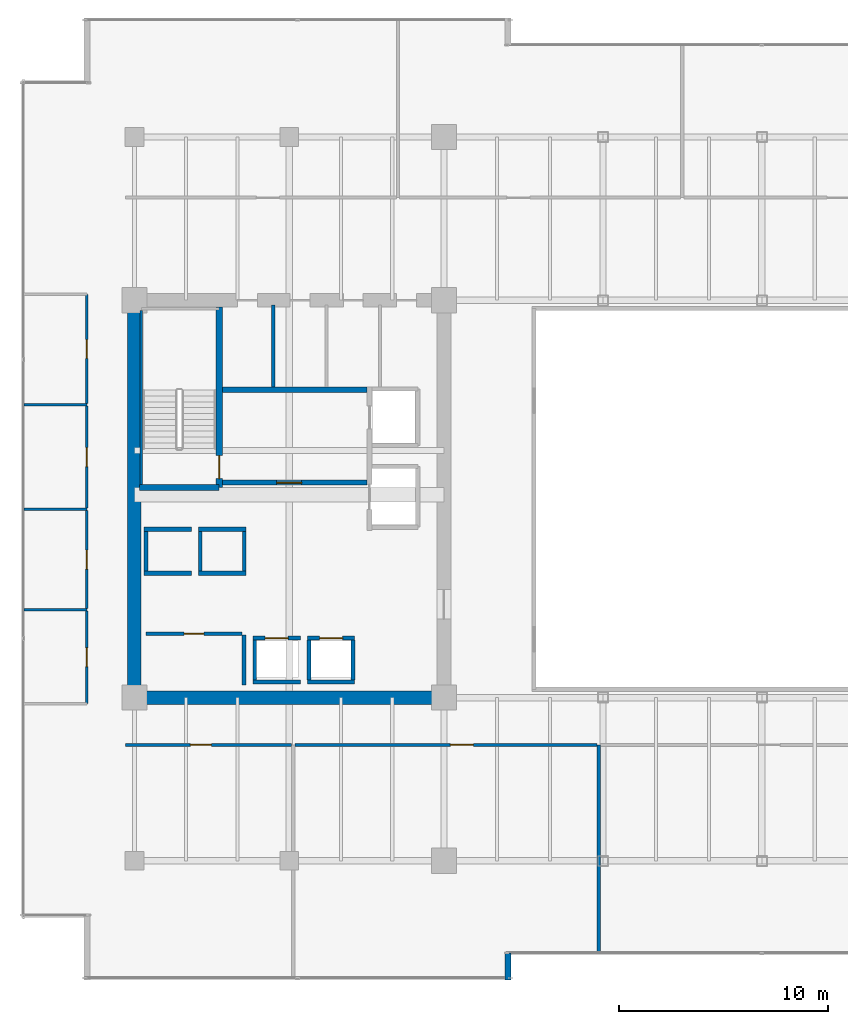
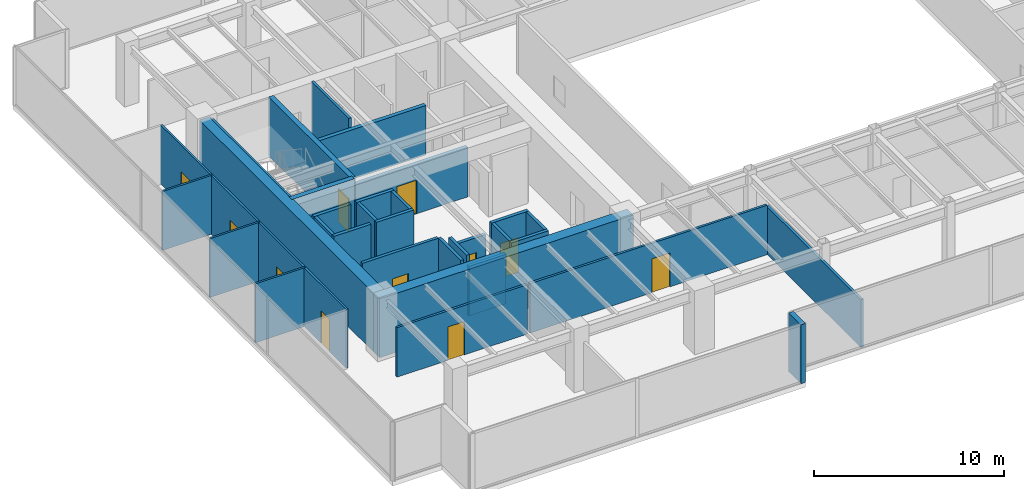
# One storey, part 25 of 31: 35 walls, 11 doors, 11 openings.
"""IFC4 building model written with IfcOpenShell, lengths in metres."""

from ifc_helpers import new_model, si_unit, direction, frame, frame_2d, origin, place, context, subcontext, project, spatial, rectangle, extrude, source, transform, mapped, material, layer, layer_set, type_object, type_shapes, element, fill, save


model = new_model("IFC4")

# Units and contexts
model_context = context("Model", 3, precision=1e-05, world=origin(), true_north=direction((0.0, 1.0)))
body_context = subcontext(model_context, "Body", "Model", "MODEL_VIEW")
ifc_project = project(units=[si_unit("LENGTHUNIT", "METRE"), si_unit("AREAUNIT", "SQUARE_METRE"), si_unit("VOLUMEUNIT", "CUBIC_METRE"), si_unit("PLANEANGLEUNIT", "RADIAN"), si_unit("MASSUNIT", "GRAM", prefix="KILO")], contexts=[model_context])

# Site, building, storey
site_placement = place(None, origin())
site = spatial("IfcSite", under=ifc_project, at=site_placement, CompositionType="ELEMENT")
building_placement = place(site_placement, origin())
building = spatial("IfcBuilding", under=site, at=building_placement, Name="Haelvirn Gate Laboratories", CompositionType="ELEMENT")
storey_placement = place(building_placement, frame((0.0, 0.0, 154.300048828125)))
storey = spatial("IfcBuildingStorey", under=building, at=storey_placement, Name="L37", CompositionType="ELEMENT", Elevation=154.300048828125)

# Walls
ifc_material_1 = material(Name="Thermally-broken bronze aluminium rainscreen & mineral wool", Category="aluminium")
ifc_layer_1 = layer(ifc_material_1, 0.280029296875, Name="EW-TERR-280")
ifc_layer_set_1 = layer_set([ifc_layer_1], Name="Thermally-broken bronze aluminium rainscreen & mineral wool")
wall_type_1 = type_object("IfcWallType", Name="EW-TERR-280", PredefinedType="STANDARD", material=ifc_layer_set_1)
wall_1_placement = place(storey_placement, frame((25.260009765625, 1.300048828125, 0.0), z_axis=(0.0, 0.0, 1.0), x_axis=(0.0, 1.0, 0.0)))
element("IfcWall", 1, at=wall_1_placement, inside=storey, type_object=wall_type_1, Name="L37 Atrium Recess Bronze Return Wall 01", PredefinedType="STANDARD", context=body_context, shape_type="SweptSolid", body=[
    extrude(rectangle(XDim=1.287841796875, YDim=0.280029296875, at=frame_2d((0.64404296875, 0.0))), origin(), (0.0, 0.0, 1.0), 3.7900390625),
])
ifc_material_2 = material(Name="Double-layer acoustic gypsum laboratory partition", Category="gypsum")
ifc_layer_2 = layer(ifc_material_2, 0.159912109375, Name="IW-ACOUST-160")
ifc_layer_set_2 = layer_set([ifc_layer_2], Name="Double-layer acoustic gypsum laboratory partition")
wall_type_2 = type_object("IfcWallType", Name="IW-ACOUST-160", PredefinedType="PARTITIONING", material=ifc_layer_set_2)
wall_2_placement = place(storey_placement, frame((29.60009765625, 2.610107421875, 0.0), z_axis=(0.0, 0.0, 1.0), x_axis=(0.0, 1.0, 0.0)))
element("IfcWall", 2, at=wall_2_placement, inside=storey, type_object=wall_type_2, Name="L37 Interior Wall IW-L37-SDIV-02", PredefinedType="PARTITIONING", context=body_context, shape_type="SweptSolid", body=[
    extrude(rectangle(XDim=9.929931640625, YDim=0.159912109375, at=frame_2d((4.96484375, 0.0))), origin(), (0.0, 0.0, 1.0), 3.074951171875),
])

# Wall, opening, door
ifc_material_3 = material(Name="Lightweight acoustic gypsum board partition", Category="gypsum")
ifc_layer_3 = layer(ifc_material_3, 0.1201171875, Name="IW-PART-120")
ifc_layer_set_3 = layer_set([ifc_layer_3], Name="Lightweight acoustic gypsum board partition")
wall_type_3 = type_object("IfcWallType", Name="IW-PART-120", PredefinedType="PARTITIONING", material=ifc_layer_set_3)
wall_3_placement = place(storey_placement, frame((5.1298828125, 14.514892578125, 0.0), z_axis=(0.0, 0.0, 1.0), x_axis=(0.0, 1.0, 0.0)))
wall_3 = element("IfcWall", 3, at=wall_3_placement, inside=storey, type_object=wall_type_3, Name="L37 Interior Wall IW-L37-WPASS-01", PredefinedType="PARTITIONING", context=body_context, shape_type="SweptSolid", body=[
    extrude(rectangle(XDim=4.425048828125, YDim=0.1201171875, at=frame_2d((2.21240234375, 0.0))), origin(), (0.0, 0.0, 1.0), 3.7900390625),
])
opening_1_placement = place(wall_3_placement, frame((1.762451171875, 0.0, 0.0)))
opening_1 = element("IfcOpeningElement", 4, at=opening_1_placement, cuts=wall_3, Name="Opening D4", PredefinedType="OPENING", context=body_context, shape_type="SweptSolid", body=[
    extrude(rectangle(XDim=0.89990234375, YDim=2.10009765625, at=frame_2d((0.449951171875, 1.050048828125))), frame((0.0, 0.070068359375, 0.0), z_axis=(0.0, -1.0, 0.0), x_axis=(1.0, 0.0, 0.0)), (0.0, 0.0, 1.0), 0.14013671875),
])
ifc_material_4 = material(Name="Glazed aluminium-framed write-up door", Category="aluminium")
door_type_1 = type_object("IfcDoorType", Name="DR-OFF-900", OperationType="NOTDEFINED", PredefinedType="DOOR", material=ifc_material_4)
shared_shape_1 = source(origin(), body_context, "Body", "SweptSolid", [
    extrude(rectangle(XDim=0.89990234375, YDim=2.10009765625, at=frame_2d((0.449951171875, 1.050048828125))), frame((0.0, 0.02490234375, 0.0), z_axis=(0.0, -1.0, 0.0), x_axis=(1.0, 0.0, 0.0)), (0.0, 0.0, 1.0), 0.050048828125),
])
type_shapes(door_type_1, [shared_shape_1])
door_1_placement = place(opening_1_placement, origin())
door_1 = element("IfcDoor", 5, at=door_1_placement, inside=storey, type_object=door_type_1, Name="L37 Bioinformatics Dry-Lab Workspace Door W1", OperationType="SINGLE_SWING_LEFT", OverallHeight=2.10009765625, OverallWidth=0.89990234375, PredefinedType="DOOR", context=body_context, shape_type="MappedRepresentation", body=[
    mapped(shared_shape_1, transform((0.0, 0.0, 0.0), scale=1.0)),
])
fill(opening_1, door_1)

# Wall
wall_4_placement = place(storey_placement, frame((2.110107421875, 19.0, 0.0), z_axis=(0.0, 0.0, 1.0), x_axis=(1.0, 0.0, 0.0)))
element("IfcWall", 6, at=wall_4_placement, inside=storey, type_object=wall_type_3, Name="L37 Interior Wall IW-L37-WDIV-01", PredefinedType="PARTITIONING", context=body_context, shape_type="SweptSolid", body=[
    extrude(rectangle(XDim=3.019775390625, YDim=0.1201171875, at=frame_2d((1.509765625, 0.0))), origin(), (0.0, 0.0, 1.0), 3.7900390625),
])

# Wall, opening, door
wall_5_placement = place(storey_placement, frame((5.1298828125, 19.06005859375, 0.0), z_axis=(0.0, 0.0, 1.0), x_axis=(0.0, 1.0, 0.0)))
wall_5 = element("IfcWall", 7, at=wall_5_placement, inside=storey, type_object=wall_type_3, Name="L37 Interior Wall IW-L37-WPASS-02", PredefinedType="PARTITIONING", context=body_context, shape_type="SweptSolid", body=[
    extrude(rectangle(XDim=4.679931640625, YDim=0.1201171875, at=frame_2d((2.33984375, 0.0))), origin(), (0.0, 0.0, 1.0), 3.7900390625),
])
opening_2_placement = place(wall_5_placement, frame((1.889892578125, 0.0, 0.0)))
opening_2 = element("IfcOpeningElement", 8, at=opening_2_placement, cuts=wall_5, Name="Opening D4", PredefinedType="OPENING", context=body_context, shape_type="SweptSolid", body=[
    extrude(rectangle(XDim=0.89990234375, YDim=2.10009765625, at=frame_2d((0.449951171875, 1.050048828125))), frame((0.0, 0.070068359375, 0.0), z_axis=(0.0, -1.0, 0.0), x_axis=(1.0, 0.0, 0.0)), (0.0, 0.0, 1.0), 0.14013671875),
])
door_2_placement = place(opening_2_placement, origin())
door_2 = element("IfcDoor", 9, at=door_2_placement, inside=storey, type_object=door_type_1, Name="L37 Researcher Break Pantry Door W2", OperationType="SINGLE_SWING_RIGHT", OverallHeight=2.10009765625, OverallWidth=0.89990234375, PredefinedType="DOOR", context=body_context, shape_type="MappedRepresentation", body=[
    mapped(shared_shape_1, transform((0.0, 0.0, 0.0), scale=1.0)),
])
fill(opening_2, door_2)

# Wall
wall_6_placement = place(storey_placement, frame((2.110107421875, 23.800048828125, 0.0), z_axis=(0.0, 0.0, 1.0), x_axis=(1.0, 0.0, 0.0)))
element("IfcWall", 10, at=wall_6_placement, inside=storey, type_object=wall_type_3, Name="L37 Interior Wall IW-L37-WDIV-02", PredefinedType="PARTITIONING", context=body_context, shape_type="SweptSolid", body=[
    extrude(rectangle(XDim=3.019775390625, YDim=0.1201171875, at=frame_2d((1.509765625, 0.0))), origin(), (0.0, 0.0, 1.0), 3.7900390625),
])

# Wall, opening, door
wall_7_placement = place(storey_placement, frame((5.1298828125, 23.860107421875, 0.0), z_axis=(0.0, 0.0, 1.0), x_axis=(0.0, 1.0, 0.0)))
wall_7 = element("IfcWall", 11, at=wall_7_placement, inside=storey, type_object=wall_type_3, Name="L37 Interior Wall IW-L37-WPASS-03", PredefinedType="PARTITIONING", context=body_context, shape_type="SweptSolid", body=[
    extrude(rectangle(XDim=4.8798828125, YDim=0.1201171875, at=frame_2d((2.43994140625, 0.0))), origin(), (0.0, 0.0, 1.0), 3.7900390625),
])
opening_3_placement = place(wall_7_placement, frame((1.989990234375, 0.0, 0.0)))
opening_3 = element("IfcOpeningElement", 12, at=opening_3_placement, cuts=wall_7, Name="Opening D4", PredefinedType="OPENING", context=body_context, shape_type="SweptSolid", body=[
    extrude(rectangle(XDim=0.89990234375, YDim=2.10009765625, at=frame_2d((0.449951171875, 1.050048828125))), frame((0.0, 0.070068359375, 0.0), z_axis=(0.0, -1.0, 0.0), x_axis=(1.0, 0.0, 0.0)), (0.0, 0.0, 1.0), 0.14013671875),
])
door_3_placement = place(opening_3_placement, origin())
door_3 = element("IfcDoor", 13, at=door_3_placement, inside=storey, type_object=door_type_1, Name="L37 Floor Hydration & Tea Servery Door W3", OperationType="SINGLE_SWING_LEFT", OverallHeight=2.10009765625, OverallWidth=0.89990234375, PredefinedType="DOOR", context=body_context, shape_type="MappedRepresentation", body=[
    mapped(shared_shape_1, transform((0.0, 0.0, 0.0), scale=1.0)),
])
fill(opening_3, door_3)

# Wall
wall_8_placement = place(storey_placement, frame((2.110107421875, 28.800048828125, 0.0), z_axis=(0.0, 0.0, 1.0), x_axis=(1.0, 0.0, 0.0)))
element("IfcWall", 14, at=wall_8_placement, inside=storey, type_object=wall_type_3, Name="L37 Interior Wall IW-L37-WDIV-03", PredefinedType="PARTITIONING", context=body_context, shape_type="SweptSolid", body=[
    extrude(rectangle(XDim=3.019775390625, YDim=0.1201171875, at=frame_2d((1.509765625, 0.0))), origin(), (0.0, 0.0, 1.0), 3.7900390625),
])

# Wall, opening, door
wall_9_placement = place(storey_placement, frame((5.1298828125, 28.860107421875, 0.0), z_axis=(0.0, 0.0, 1.0), x_axis=(0.0, 1.0, 0.0)))
wall_9 = element("IfcWall", 15, at=wall_9_placement, inside=storey, type_object=wall_type_3, Name="L37 Interior Wall IW-L37-WPASS-04", PredefinedType="PARTITIONING", context=body_context, shape_type="SweptSolid", body=[
    extrude(rectangle(XDim=5.224853515625, YDim=0.1201171875, at=frame_2d((2.6123046875, 0.0))), origin(), (0.0, 0.0, 1.0), 3.7900390625),
])
opening_4_placement = place(wall_9_placement, frame((2.16259765625, 0.0, 0.0)))
opening_4 = element("IfcOpeningElement", 16, at=opening_4_placement, cuts=wall_9, Name="Opening D4", PredefinedType="OPENING", context=body_context, shape_type="SweptSolid", body=[
    extrude(rectangle(XDim=0.89990234375, YDim=2.10009765625, at=frame_2d((0.449951171875, 1.050048828125))), frame((0.0, 0.070068359375, 0.0), z_axis=(0.0, -1.0, 0.0), x_axis=(1.0, 0.0, 0.0)), (0.0, 0.0, 1.0), 0.14013671875),
])
door_4_placement = place(opening_4_placement, origin())
door_4 = element("IfcDoor", 17, at=door_4_placement, inside=storey, type_object=door_type_1, Name="L37 Genomics Assay Laboratory Door W4", OperationType="SINGLE_SWING_RIGHT", OverallHeight=2.10009765625, OverallWidth=0.89990234375, PredefinedType="DOOR", context=body_context, shape_type="MappedRepresentation", body=[
    mapped(shared_shape_1, transform((0.0, 0.0, 0.0), scale=1.0)),
])
fill(opening_4, door_4)

ifc_material_5 = material(Name="Acoustic mineral-wool gypsum board partition", Category="gypsum")
ifc_layer_4 = layer(ifc_material_5, 0.139892578125, Name="IW-PART-140")
ifc_layer_set_4 = layer_set([ifc_layer_4], Name="Acoustic mineral-wool gypsum board partition")
wall_type_4 = type_object("IfcWallType", Name="IW-PART-140", PredefinedType="PARTITIONING", material=ifc_layer_set_4)
wall_10_placement = place(storey_placement, frame((6.97998046875, 12.5400390625, 0.0), z_axis=(0.0, 0.0, 1.0), x_axis=(1.0, 0.0, 0.0)))
wall_10 = element("IfcWall", 18, at=wall_10_placement, inside=storey, type_object=wall_type_4, Name="L37 Interior Wall IW-L37-SCORR-01", PredefinedType="PARTITIONING", context=body_context, shape_type="SweptSolid", body=[
    extrude(rectangle(XDim=7.93994140625, YDim=0.139892578125, at=frame_2d((3.969970703125, 0.0))), origin(), (0.0, 0.0, 1.0), 3.18701171875),
])
opening_5_placement = place(wall_10_placement, frame((3.095703125, 0.0, 0.0)))
opening_5 = element("IfcOpeningElement", 19, at=opening_5_placement, cuts=wall_10, Name="Opening D2", PredefinedType="OPENING", context=body_context, shape_type="SweptSolid", body=[
    extrude(rectangle(XDim=1.0, YDim=2.14990234375, at=frame_2d((0.5, 1.074951171875))), frame((0.0, 0.080078125, 0.0), z_axis=(0.0, -1.0, 0.0), x_axis=(1.0, 0.0, 0.0)), (0.0, 0.0, 1.0), 0.159912109375),
])
ifc_material_6 = material(Name="Acoustic solid-core timber suite door", Category="wood")
door_type_2 = type_object("IfcDoorType", Name="DR-INT-1000", OperationType="NOTDEFINED", PredefinedType="DOOR", material=ifc_material_6)
shared_shape_2 = source(origin(), body_context, "Body", "SweptSolid", [
    extrude(rectangle(XDim=1.0, YDim=2.14990234375, at=frame_2d((0.5, 1.074951171875))), frame((0.0, 0.02490234375, 0.0), z_axis=(0.0, -1.0, 0.0), x_axis=(1.0, 0.0, 0.0)), (0.0, 0.0, 1.0), 0.050048828125),
])
type_shapes(door_type_2, [shared_shape_2])
door_5_placement = place(opening_5_placement, origin())
door_5 = element("IfcDoor", 20, at=door_5_placement, inside=storey, type_object=door_type_2, Name="L37 Peer-Review Seminar Room Door S1", OperationType="SINGLE_SWING_RIGHT", OverallHeight=2.14990234375, OverallWidth=1.0, PredefinedType="DOOR", context=body_context, shape_type="MappedRepresentation", body=[
    mapped(shared_shape_2, transform((0.0, 0.0, 0.0), scale=1.0)),
])
fill(opening_5, door_5)

wall_11_placement = place(storey_placement, frame((15.080078125, 12.5400390625, 0.0), z_axis=(0.0, 0.0, 1.0), x_axis=(1.0, 0.0, 0.0)))
wall_11 = element("IfcWall", 21, at=wall_11_placement, inside=storey, type_object=wall_type_4, Name="L37 Interior Wall IW-L37-SCORR-02", PredefinedType="PARTITIONING", context=body_context, shape_type="SweptSolid", body=[
    extrude(rectangle(XDim=14.43994140625, YDim=0.139892578125, at=frame_2d((7.219970703125, 0.0))), origin(), (0.0, 0.0, 1.0), 3.18701171875),
])
opening_6_placement = place(wall_11_placement, frame((7.428466796875, 0.0, 0.0)))
opening_6 = element("IfcOpeningElement", 22, at=opening_6_placement, cuts=wall_11, Name="Opening D1", PredefinedType="OPENING", context=body_context, shape_type="SweptSolid", body=[
    extrude(rectangle(XDim=1.10009765625, YDim=2.179931640625, at=frame_2d((0.550048828125, 1.08984375))), frame((0.0, 0.080078125, 0.0), z_axis=(0.0, -1.0, 0.0), x_axis=(1.0, 0.0, 0.0)), (0.0, 0.0, 1.0), 0.159912109375),
])
ifc_material_7 = material(Name="Vision-panel acoustic solid-core timber lab door", Category="wood")
door_type_3 = type_object("IfcDoorType", Name="DR-LAB-1100", OperationType="NOTDEFINED", PredefinedType="DOOR", material=ifc_material_7)
shared_shape_3 = source(origin(), body_context, "Body", "SweptSolid", [
    extrude(rectangle(XDim=1.10009765625, YDim=2.179931640625, at=frame_2d((0.550048828125, 1.08984375))), frame((0.0, 0.02490234375, 0.0), z_axis=(0.0, -1.0, 0.0), x_axis=(1.0, 0.0, 0.0)), (0.0, 0.0, 1.0), 0.050048828125),
])
type_shapes(door_type_3, [shared_shape_3])
door_6_placement = place(opening_6_placement, origin())
door_6 = element("IfcDoor", 23, at=door_6_placement, inside=storey, type_object=door_type_3, Name="L37 Colloquium Conference Room Door S2", OperationType="SINGLE_SWING_LEFT", OverallHeight=2.179931640625, OverallWidth=1.10009765625, PredefinedType="DOOR", context=body_context, shape_type="MappedRepresentation", body=[
    mapped(shared_shape_3, transform((0.0, 0.0, 0.0), scale=1.0)),
])
fill(opening_6, door_6)

# Walls
ifc_material_8 = material(Name="Cement-board restroom plumbing chase wall", Category="gypsum")
ifc_layer_5 = layer(ifc_material_8, 0.155029296875, Name="IW-PLUMB-160")
ifc_layer_set_5 = layer_set([ifc_layer_5], Name="Cement-board restroom plumbing chase wall")
wall_type_5 = type_object("IfcWallType", Name="IW-PLUMB-160", PredefinedType="PLUMBINGWALL", material=ifc_layer_set_5)
wall_12_placement = place(storey_placement, frame((14.0400390625, 29.64990234375, 0.0), z_axis=(0.0, 0.0, 1.0), x_axis=(0.0, 1.0, 0.0)))
element("IfcWall", 24, at=wall_12_placement, inside=storey, type_object=wall_type_5, Name="L37 Interior Wall IW-L37-W-CDIV-1", PredefinedType="PLUMBINGWALL", context=body_context, shape_type="SweptSolid", body=[
    extrude(rectangle(XDim=3.93017578125, YDim=0.155029296875, at=frame_2d((1.965087890625, 0.0))), origin(), (0.0, 0.0, 1.0), 3.7900390625),
])
ifc_material_9 = material(Name="Concrete C40/50", Category="concrete")
ifc_layer_6 = layer(ifc_material_9, 0.179931640625, Name="IW-SHAFT-180")
ifc_layer_set_6 = layer_set([ifc_layer_6], Name="Concrete C40/50")
wall_type_6 = type_object("IfcWallType", Name="IW-SHAFT-180", PredefinedType="SOLIDWALL", material=ifc_layer_set_6)
for number, where, z_axis, x_axis, name in (
    (25, (13.14990234375, 15.64990234375, 0.0), (0.0, 0.0, 1.0), (0.0, 1.0, 0.0), "L37 Interior Wall IW-L37-PL5-SD"),
    (26, (15.75, 15.64990234375, 0.0), (0.0, 0.0, 1.0), (0.0, 1.0, 0.0), "L37 Interior Wall IW-L37-PL6-SD"),
    (27, (17.85009765625, 15.64990234375, 0.0), (0.0, 0.0, 1.0), (0.0, 1.0, 0.0), "L37 Interior Wall IW-L37-PL6-SDE"),
):
    element("IfcWall", number, at=place(storey_placement, frame(where, z_axis=z_axis, x_axis=x_axis)), inside=storey, type_object=wall_type_6, Name=name, PredefinedType="SOLIDWALL", context=body_context, shape_type="SweptSolid", body=[
        extrude(rectangle(XDim=1.900146484375, YDim=0.179931640625, at=frame_2d((0.9501953125, 0.0))), origin(), (0.0, 0.0, 1.0), 3.7900390625),
    ])
for number, where, z_axis, x_axis, name in (
    (28, (7.949951171875, 20.85009765625, 0.0), (0.0, 0.0, 1.0), (0.0, 1.0, 0.0), "L37 Interior Wall IW-L37-PL9-SD"),
    (29, (10.550048828125, 20.85009765625, 0.0), (0.0, 0.0, 1.0), (0.0, 1.0, 0.0), "L37 Interior Wall IW-L37-PL10-SD"),
    (30, (12.64990234375, 20.85009765625, 0.0), (0.0, 0.0, 1.0), (0.0, 1.0, 0.0), "L37 Interior Wall IW-L37-PL10-SDE"),
):
    element("IfcWall", number, at=place(storey_placement, frame(where, z_axis=z_axis, x_axis=x_axis)), inside=storey, type_object=wall_type_6, Name=name, PredefinedType="SOLIDWALL", context=body_context, shape_type="SweptSolid", body=[
        extrude(rectangle(XDim=1.89990234375, YDim=0.179931640625, at=frame_2d((0.949951171875, 0.0))), origin(), (0.0, 0.0, 1.0), 3.7900390625),
    ])

# Wall, opening, door
wall_13_placement = place(storey_placement, frame((7.949951171875, 17.85009765625, 0.0), z_axis=(0.0, 0.0, 1.0), x_axis=(1.0, 0.0, 0.0)))
wall_13 = element("IfcWall", 31, at=wall_13_placement, inside=storey, type_object=wall_type_6, Name="L37 Interior Wall IW-L37-W-FREED-LN-1", PredefinedType="SOLIDWALL", context=body_context, shape_type="SweptSolid", body=[
    extrude(rectangle(XDim=4.60009765625, YDim=0.179931640625, at=frame_2d((2.300048828125, 0.0))), origin(), (0.0, 0.0, 1.0), 3.7900390625),
])
opening_7_placement = place(wall_13_placement, frame((1.824951171875, 0.0, 0.0)))
opening_7 = element("IfcOpeningElement", 32, at=opening_7_placement, cuts=wall_13, Name="Opening FD4", PredefinedType="OPENING", context=body_context, shape_type="SweptSolid", body=[
    extrude(rectangle(XDim=0.949951171875, YDim=2.14990234375, at=frame_2d((0.47509765625, 1.074951171875))), frame((0.0, 0.10009765625, 0.0), z_axis=(0.0, -1.0, 0.0), x_axis=(1.0, 0.0, 0.0)), (0.0, 0.0, 1.0), 0.199951171875),
])
ifc_material_10 = material(Name="Fire-rated steel SM355 core service door", Category="steel")
door_type_4 = type_object("IfcDoorType", Name="DR-FD-950", OperationType="NOTDEFINED", PredefinedType="DOOR", material=ifc_material_10)
shared_shape_4 = source(origin(), body_context, "Body", "SweptSolid", [
    extrude(rectangle(XDim=0.949951171875, YDim=2.14990234375, at=frame_2d((0.47509765625, 1.074951171875))), frame((0.0, 0.02490234375, 0.0), z_axis=(0.0, -1.0, 0.0), x_axis=(1.0, 0.0, 0.0)), (0.0, 0.0, 1.0), 0.050048828125),
])
type_shapes(door_type_4, [shared_shape_4])
door_7_placement = place(opening_7_placement, origin())
door_7 = element("IfcDoor", 33, at=door_7_placement, inside=storey, type_object=door_type_4, Name="L37 Autoclave & Glasswash Room Door", OperationType="SINGLE_SWING_LEFT", OverallHeight=2.14990234375, OverallWidth=0.949951171875, PredefinedType="DOOR", context=body_context, shape_type="MappedRepresentation", body=[
    mapped(shared_shape_4, transform((0.0, 0.0, 0.0), scale=1.0)),
])
fill(opening_7, door_7)

# Wall
wall_14_placement = place(storey_placement, frame((12.639892578125, 15.39990234375, 0.0), z_axis=(0.0, 0.0, 1.0), x_axis=(0.0, 1.0, 0.0)))
element("IfcWall", 34, at=wall_14_placement, inside=storey, type_object=wall_type_6, Name="L37 Interior Wall IW-L37-W-FREED-LE-1", PredefinedType="SOLIDWALL", context=body_context, shape_type="SweptSolid", body=[
    extrude(rectangle(XDim=2.400146484375, YDim=0.179931640625, at=frame_2d((1.2001953125, 0.0))), origin(), (0.0, 0.0, 1.0), 3.7900390625),
])

# Wall, opening, door
ifc_layer_7 = layer(ifc_material_9, 0.199951171875, Name="IW-SHAFT-200")
ifc_layer_set_7 = layer_set([ifc_layer_7], Name="Concrete C40/50")
wall_type_7 = type_object("IfcWallType", Name="IW-SHAFT-200", PredefinedType="SOLIDWALL", material=ifc_layer_set_7)
wall_15_placement = place(storey_placement, frame((13.070068359375, 17.64990234375, 0.0), z_axis=(0.0, 0.0, 1.0), x_axis=(1.0, 0.0, 0.0)))
wall_15 = element("IfcWall", 35, at=wall_15_placement, inside=storey, type_object=wall_type_7, Name="L37 Interior Wall IW-L37-PL5-FR", PredefinedType="SOLIDWALL", context=body_context, shape_type="SweptSolid", body=[
    extrude(rectangle(XDim=2.260009765625, YDim=0.199951171875, at=frame_2d((1.1298828125, 0.0))), origin(), (0.0, 0.0, 1.0), 3.18701171875),
])
opening_8_placement = place(wall_15_placement, frame((0.580078125, 0.0, 0.0)))
opening_8 = element("IfcOpeningElement", 36, at=opening_8_placement, cuts=wall_15, Name="Opening LD2", PredefinedType="OPENING", context=body_context, shape_type="SweptSolid", body=[
    extrude(rectangle(XDim=1.10009765625, YDim=2.219970703125, at=frame_2d((0.550048828125, 1.10986328125))), frame((0.0, 0.10986328125, 0.0), z_axis=(0.0, -1.0, 0.0), x_axis=(1.0, 0.0, 0.0)), (0.0, 0.0, 1.0), 0.219970703125),
])
ifc_material_11 = material(Name="Bronze stainless 316L sliding lift landing door")
door_type_5 = type_object("IfcDoorType", Name="DR-LD-1100", OperationType="NOTDEFINED", PredefinedType="USERDEFINED", material=ifc_material_11)
shared_shape_5 = source(origin(), body_context, "Body", "SweptSolid", [
    extrude(rectangle(XDim=1.10009765625, YDim=2.219970703125, at=frame_2d((0.550048828125, 1.10986328125))), frame((0.0, 0.02490234375, 0.0), z_axis=(0.0, -1.0, 0.0), x_axis=(1.0, 0.0, 0.0)), (0.0, 0.0, 1.0), 0.050048828125),
])
type_shapes(door_type_5, [shared_shape_5])
door_8_placement = place(opening_8_placement, origin())
door_8 = element("IfcDoor", 37, at=door_8_placement, inside=storey, type_object=door_type_5, Name="L37 Passenger Lift PL5 Landing Door", ObjectType="LANDING_DOOR", OperationType="SLIDING_TO_LEFT", OverallHeight=2.219970703125, OverallWidth=1.10009765625, PredefinedType="USERDEFINED", context=body_context, shape_type="MappedRepresentation", body=[
    mapped(shared_shape_5, transform((0.0, 0.0, 0.0), scale=1.0)),
])
fill(opening_8, door_8)

# Wall
wall_16_placement = place(storey_placement, frame((13.070068359375, 15.550048828125, 0.0), z_axis=(0.0, 0.0, 1.0), x_axis=(1.0, 0.0, 0.0)))
element("IfcWall", 38, at=wall_16_placement, inside=storey, type_object=wall_type_7, Name="L37 Interior Wall IW-L37-PL5-BK", PredefinedType="SOLIDWALL", context=body_context, shape_type="SweptSolid", body=[
    extrude(rectangle(XDim=2.260009765625, YDim=0.199951171875, at=frame_2d((1.1298828125, 0.0))), origin(), (0.0, 0.0, 1.0), 3.18701171875),
])

# Wall, opening, door
wall_17_placement = place(storey_placement, frame((15.669921875, 17.64990234375, 0.0), z_axis=(0.0, 0.0, 1.0), x_axis=(1.0, 0.0, 0.0)))
wall_17 = element("IfcWall", 39, at=wall_17_placement, inside=storey, type_object=wall_type_7, Name="L37 Interior Wall IW-L37-PL6-FR", PredefinedType="SOLIDWALL", context=body_context, shape_type="SweptSolid", body=[
    extrude(rectangle(XDim=2.260009765625, YDim=0.199951171875, at=frame_2d((1.1298828125, 0.0))), origin(), (0.0, 0.0, 1.0), 3.7900390625),
])
opening_9_placement = place(wall_17_placement, frame((0.580078125, 0.0, 0.0)))
opening_9 = element("IfcOpeningElement", 40, at=opening_9_placement, cuts=wall_17, Name="Opening LD2", PredefinedType="OPENING", context=body_context, shape_type="SweptSolid", body=[
    extrude(rectangle(XDim=1.10009765625, YDim=2.219970703125, at=frame_2d((0.550048828125, 1.10986328125))), frame((0.0, 0.10986328125, 0.0), z_axis=(0.0, -1.0, 0.0), x_axis=(1.0, 0.0, 0.0)), (0.0, 0.0, 1.0), 0.219970703125),
])
door_9_placement = place(opening_9_placement, origin())
door_9 = element("IfcDoor", 41, at=door_9_placement, inside=storey, type_object=door_type_5, Name="L37 Passenger Lift PL6 Landing Door", ObjectType="LANDING_DOOR", OperationType="SLIDING_TO_RIGHT", OverallHeight=2.219970703125, OverallWidth=1.10009765625, PredefinedType="USERDEFINED", context=body_context, shape_type="MappedRepresentation", body=[
    mapped(shared_shape_5, transform((0.0, 0.0, 0.0), scale=1.0)),
])
fill(opening_9, door_9)

# Walls
wall_18_placement = place(storey_placement, frame((15.669921875, 15.550048828125, 0.0), z_axis=(0.0, 0.0, 1.0), x_axis=(1.0, 0.0, 0.0)))
element("IfcWall", 42, at=wall_18_placement, inside=storey, type_object=wall_type_7, Name="L37 Interior Wall IW-L37-PL6-BK", PredefinedType="SOLIDWALL", context=body_context, shape_type="SweptSolid", body=[
    extrude(rectangle(XDim=2.260009765625, YDim=0.199951171875, at=frame_2d((1.1298828125, 0.0))), origin(), (0.0, 0.0, 1.0), 3.7900390625),
])
for number, where, z_axis, x_axis, name in (
    (43, (7.8701171875, 20.75, 0.0), (0.0, 0.0, 1.0), (1.0, 0.0, 0.0), "L37 Interior Wall IW-L37-PL9-FR"),
    (44, (7.8701171875, 22.85009765625, 0.0), (0.0, 0.0, 1.0), (1.0, 0.0, 0.0), "L37 Interior Wall IW-L37-PL9-BK"),
):
    element("IfcWall", number, at=place(storey_placement, frame(where, z_axis=z_axis, x_axis=x_axis)), inside=storey, type_object=wall_type_7, Name=name, PredefinedType="SOLIDWALL", context=body_context, shape_type="SweptSolid", body=[
        extrude(rectangle(XDim=2.259765625, YDim=0.199951171875, at=frame_2d((1.1298828125, 0.0))), origin(), (0.0, 0.0, 1.0), 3.7900390625),
    ])
for number, where, z_axis, x_axis, name in (
    (45, (10.469970703125, 20.75, 0.0), (0.0, 0.0, 1.0), (1.0, 0.0, 0.0), "L37 Interior Wall IW-L37-PL10-FR"),
    (46, (10.469970703125, 22.85009765625, 0.0), (0.0, 0.0, 1.0), (1.0, 0.0, 0.0), "L37 Interior Wall IW-L37-PL10-BK"),
):
    element("IfcWall", number, at=place(storey_placement, frame(where, z_axis=z_axis, x_axis=x_axis)), inside=storey, type_object=wall_type_7, Name=name, PredefinedType="SOLIDWALL", context=body_context, shape_type="SweptSolid", body=[
        extrude(rectangle(XDim=2.260009765625, YDim=0.199951171875, at=frame_2d((1.1298828125, 0.0))), origin(), (0.0, 0.0, 1.0), 3.7900390625),
    ])

# Wall, opening, door
ifc_layer_8 = layer(ifc_material_9, 0.239990234375, Name="IW-SHAFT-240")
ifc_layer_set_8 = layer_set([ifc_layer_8], Name="Concrete C40/50")
wall_type_8 = type_object("IfcWallType", Name="IW-SHAFT-240", PredefinedType="SOLIDWALL", material=ifc_layer_set_8)
wall_19_placement = place(storey_placement, frame((11.60009765625, 25.080078125, 0.0), z_axis=(0.0, 0.0, 1.0), x_axis=(1.0, 0.0, 0.0)))
wall_19 = element("IfcWall", 47, at=wall_19_placement, inside=storey, type_object=wall_type_8, Name="L37 Interior Wall IW-L37-W-FF-S", PredefinedType="SOLIDWALL", context=body_context, shape_type="SweptSolid", body=[
    extrude(rectangle(XDim=6.919921875, YDim=0.239990234375, at=frame_2d((3.4599609375, 0.0))), origin(), (0.0, 0.0, 1.0), 3.18701171875),
])
opening_10_placement = place(wall_19_placement, frame((2.60009765625, 0.0, 0.0)))
opening_10 = element("IfcOpeningElement", 48, at=opening_10_placement, cuts=wall_19, Name="Opening FD2", PredefinedType="OPENING", context=body_context, shape_type="SweptSolid", body=[
    extrude(rectangle(XDim=1.199951171875, YDim=2.159912109375, at=frame_2d((0.60009765625, 1.080078125))), frame((0.0, 0.1298828125, 0.0), z_axis=(0.0, -1.0, 0.0), x_axis=(1.0, 0.0, 0.0)), (0.0, 0.0, 1.0), 0.260009765625),
])
ifc_material_12 = material(Name="Fire-rated steel SM355 compartment door", Category="steel")
door_type_6 = type_object("IfcDoorType", Name="DR-FD-1200", OperationType="NOTDEFINED", PredefinedType="DOOR", material=ifc_material_12)
shared_shape_6 = source(origin(), body_context, "Body", "SweptSolid", [
    extrude(rectangle(XDim=1.199951171875, YDim=2.159912109375, at=frame_2d((0.60009765625, 1.080078125))), frame((0.0, 0.02490234375, 0.0), z_axis=(0.0, -1.0, 0.0), x_axis=(1.0, 0.0, 0.0)), (0.0, 0.0, 1.0), 0.050048828125),
])
type_shapes(door_type_6, [shared_shape_6])
door_10_placement = place(opening_10_placement, origin())
door_10 = element("IfcDoor", 49, at=door_10_placement, inside=storey, type_object=door_type_6, Name="L37 West Firefighting Lobby Door", OperationType="SINGLE_SWING_RIGHT", OverallHeight=2.159912109375, OverallWidth=1.199951171875, PredefinedType="DOOR", context=body_context, shape_type="MappedRepresentation", body=[
    mapped(shared_shape_6, transform((0.0, 0.0, 0.0), scale=1.0)),
])
fill(opening_10, door_10)

# Walls
wall_20_placement = place(storey_placement, frame((11.60009765625, 29.52001953125, 0.0), z_axis=(0.0, 0.0, 1.0), x_axis=(1.0, 0.0, 0.0)))
element("IfcWall", 50, at=wall_20_placement, inside=storey, type_object=wall_type_8, Name="L37 Interior Wall IW-L37-W-FF-N", PredefinedType="SOLIDWALL", context=body_context, shape_type="SweptSolid", body=[
    extrude(rectangle(XDim=6.919921875, YDim=0.239990234375, at=frame_2d((3.4599609375, 0.0))), origin(), (0.0, 0.0, 1.0), 3.18701171875),
])
ifc_material_13 = material(Name="Concrete C60/75", Category="concrete")
ifc_layer_9 = layer(ifc_material_13, 0.64990234375, Name="SW-CORE-650")
ifc_layer_set_9 = layer_set([ifc_layer_9], Name="Concrete C60/75")
wall_type_9 = type_object("IfcWallType", Name="SW-CORE-650", PredefinedType="SHEAR", material=ifc_layer_set_9)
wall_21_placement = place(storey_placement, frame((7.074951171875, 14.800048828125, 0.0), z_axis=(0.0, 0.0, 1.0), x_axis=(1.0, 0.0, 0.0)))
element("IfcWall", 51, at=wall_21_placement, inside=storey, type_object=wall_type_9, Name="L37 W Core Shear Wall S", PredefinedType="SHEAR", context=body_context, shape_type="SweptSolid", body=[
    extrude(rectangle(XDim=15.449951171875, YDim=0.64990234375, at=frame_2d((7.72509765625, 0.0))), origin(), (0.0, 0.0, 1.0), 3.7900390625),
])
wall_22_placement = place(storey_placement, frame((7.39990234375, 15.125, 0.0), z_axis=(0.0, 0.0, 1.0), x_axis=(0.0, 1.0, 0.0)))
element("IfcWall", 52, at=wall_22_placement, inside=storey, type_object=wall_type_9, Name="L37 W Core Shear Wall W", PredefinedType="SHEAR", context=body_context, shape_type="SweptSolid", body=[
    extrude(rectangle(XDim=18.35009765625, YDim=0.64990234375, at=frame_2d((9.175048828125, 0.0))), origin(), (0.0, 0.0, 1.0), 3.7900390625),
])
ifc_material_14 = material(Name="Concrete C50/60", Category="concrete")
ifc_layer_10 = layer(ifc_material_14, 0.1201171875, Name="SW-LINER-120")
ifc_layer_set_10 = layer_set([ifc_layer_10], Name="Concrete C50/60")
wall_type_10 = type_object("IfcWallType", Name="SW-LINER-120", PredefinedType="SOLIDWALL", material=ifc_layer_set_10)
wall_23_placement = place(storey_placement, frame((7.72998046875, 25.0, 0.0), z_axis=(0.0, 0.0, 1.0), x_axis=(0.0, 1.0, 0.0)))
element("IfcWall", 53, at=wall_23_placement, inside=storey, type_object=wall_type_10, Name="L37 W Core Stair Shaft Liner Wall OUT", PredefinedType="SOLIDWALL", context=body_context, shape_type="SweptSolid", body=[
    extrude(rectangle(XDim=8.320068359375, YDim=0.1201171875, at=frame_2d((4.16015625, 0.0))), origin(), (0.0, 0.0, 1.0), 3.7900390625),
])

# Wall, opening, door
ifc_layer_11 = layer(ifc_material_14, 0.300048828125, Name="SW-STAIR-300")
ifc_layer_set_11 = layer_set([ifc_layer_11], Name="Concrete C50/60")
wall_type_11 = type_object("IfcWallType", Name="SW-STAIR-300", PredefinedType="SHEAR", material=ifc_layer_set_11)
wall_24_placement = place(storey_placement, frame((11.449951171875, 24.85009765625, 0.0), z_axis=(0.0, 0.0, 1.0), x_axis=(0.0, 1.0, 0.0)))
wall_24 = element("IfcWall", 54, at=wall_24_placement, inside=storey, type_object=wall_type_11, Name="L37 W Core Stair Shaft Structural Wall IN", PredefinedType="SHEAR", context=body_context, shape_type="SweptSolid", body=[
    extrude(rectangle(XDim=8.6298828125, YDim=0.300048828125, at=frame_2d((4.31494140625, 0.0))), origin(), (0.0, 0.0, 1.0), 3.7900390625),
])
opening_11_placement = place(wall_24_placement, frame((0.419921875, 0.0, 0.0)))
opening_11 = element("IfcOpeningElement", 55, at=opening_11_placement, cuts=wall_24, Name="Opening FD3", PredefinedType="OPENING", context=body_context, shape_type="SweptSolid", body=[
    extrude(rectangle(XDim=1.10009765625, YDim=2.14990234375, at=frame_2d((0.550048828125, 1.074951171875))), frame((0.0, 0.16015625, 0.0), z_axis=(0.0, -1.0, 0.0), x_axis=(1.0, 0.0, 0.0)), (0.0, 0.0, 1.0), 0.320068359375),
])
ifc_material_15 = material(Name="Fire-rated steel SM355 escape stair door", Category="steel")
door_type_7 = type_object("IfcDoorType", Name="DR-FD-1100", OperationType="NOTDEFINED", PredefinedType="DOOR", material=ifc_material_15)
shared_shape_7 = source(origin(), body_context, "Body", "SweptSolid", [
    extrude(rectangle(XDim=1.10009765625, YDim=2.14990234375, at=frame_2d((0.550048828125, 1.074951171875))), frame((0.0, 0.02490234375, 0.0), z_axis=(0.0, -1.0, 0.0), x_axis=(1.0, 0.0, 0.0)), (0.0, 0.0, 1.0), 0.050048828125),
])
type_shapes(door_type_7, [shared_shape_7])
door_11_placement = place(opening_11_placement, origin())
door_11 = element("IfcDoor", 56, at=door_11_placement, inside=storey, type_object=door_type_7, Name="L37 Escape Stair ST1 Fire Door", OperationType="SINGLE_SWING_LEFT", OverallHeight=2.14990234375, OverallWidth=1.10009765625, PredefinedType="DOOR", context=body_context, shape_type="MappedRepresentation", body=[
    mapped(shared_shape_7, transform((0.0, 0.0, 0.0), scale=1.0)),
])
fill(opening_11, door_11)

# Wall
wall_25_placement = place(storey_placement, frame((7.64990234375, 24.85009765625, 0.0), z_axis=(0.0, 0.0, 1.0), x_axis=(1.0, 0.0, 0.0)))
element("IfcWall", 57, at=wall_25_placement, inside=storey, type_object=wall_type_11, Name="L37 W Core Stair Shaft Structural Wall S", PredefinedType="SHEAR", context=body_context, shape_type="SweptSolid", body=[
    extrude(rectangle(XDim=3.800048828125, YDim=0.300048828125, at=frame_2d((1.89990234375, 0.0))), origin(), (0.0, 0.0, 1.0), 3.7900390625),
])

save(model, "model.ifc")
